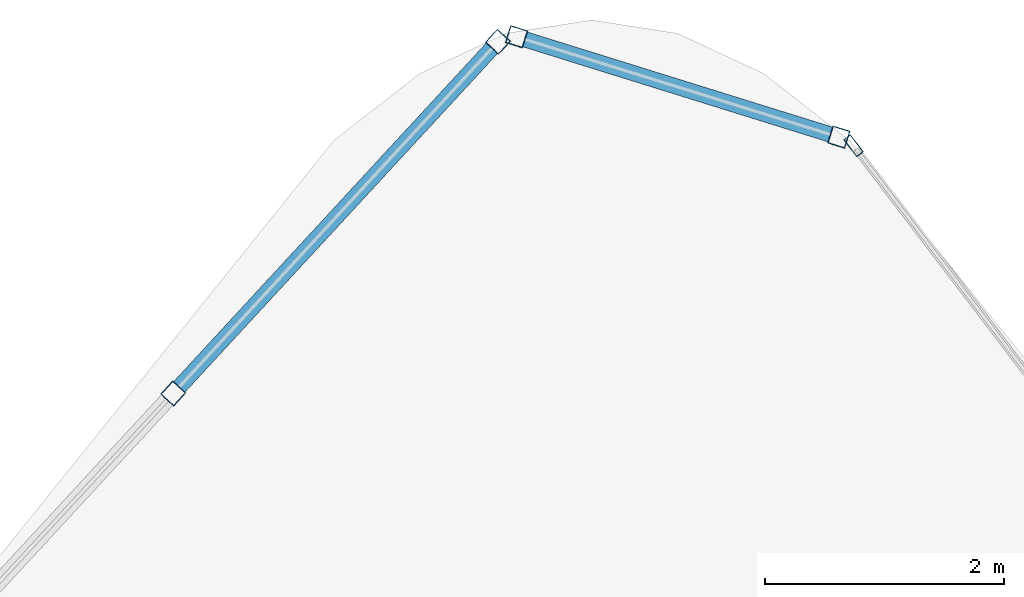
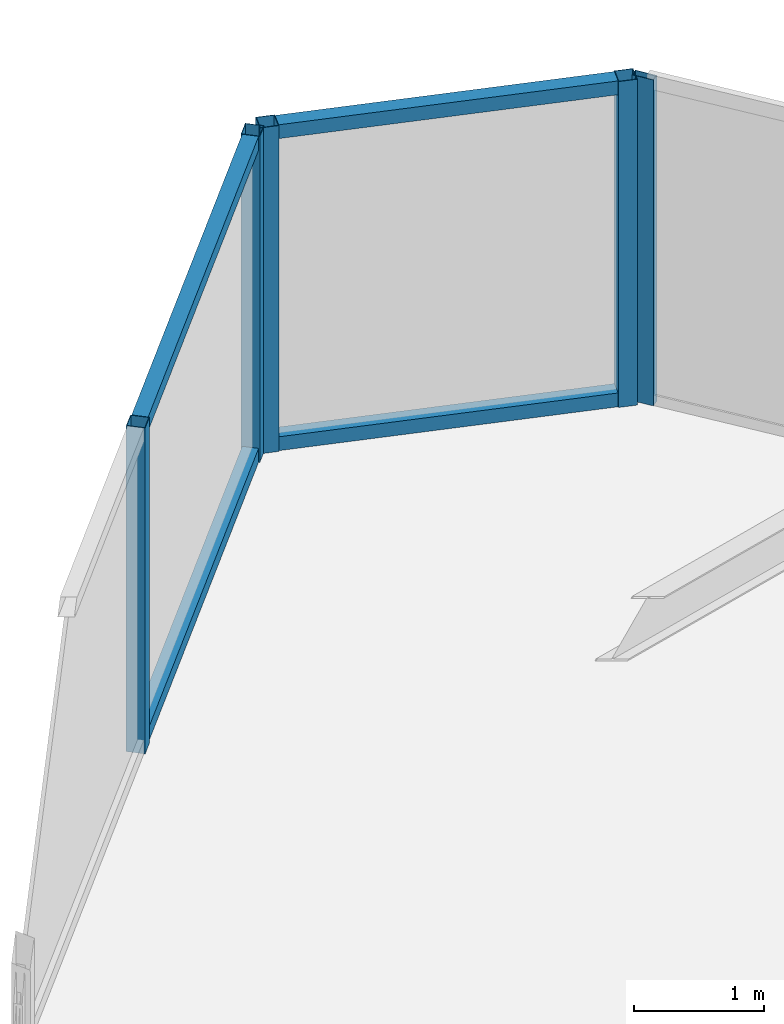
# One storey, part 25 of 35: 9 members, 3 elements without a shape of their own.
"""IFC4 building model written with IfcOpenShell, lengths in metres."""

from ifc_helpers import new_model, si_unit, direction, frame, origin, origin_2d, place, context, subcontext, project, spatial, hollow_rectangle, extrude, material, layer, layer_set, material_profile, profile_set, type_object, element, aggregate, save


model = new_model("IFC4")

# Units and contexts
model_context = context("Model", 3, precision=1e-05, world=origin(), true_north=direction((0.0, 1.0)))
body_context = subcontext(model_context, "Body", "Model", "MODEL_VIEW")
ifc_project = project(units=[si_unit("LENGTHUNIT", "METRE"), si_unit("AREAUNIT", "SQUARE_METRE"), si_unit("VOLUMEUNIT", "CUBIC_METRE"), si_unit("PLANEANGLEUNIT", "RADIAN"), si_unit("MASSUNIT", "GRAM", prefix="KILO")], contexts=[model_context])

# Site, building, storey
site_placement = place(None, origin())
site = spatial("IfcSite", under=ifc_project, at=site_placement, CompositionType="ELEMENT")
building_placement = place(site_placement, origin())
building = spatial("IfcBuilding", under=site, at=building_placement, Name="Orvanel Arch Residences", CompositionType="ELEMENT")
storey_placement = place(building_placement, frame((0.0, 0.0, 26.89990234375)))
storey = spatial("IfcBuildingStorey", under=building, at=storey_placement, Name="L06", CompositionType="ELEMENT", Elevation=26.89990234375)

# Curtain wall, members
ifc_material = material(Name="Bronze-anodised aluminium AA6063-T6", Category="aluminium")
ifc_layer_1 = layer(ifc_material, 0.18994140625)
ifc_layer_set_1 = layer_set([ifc_layer_1], Name="Bronze-anodised aluminium AA6063-T6")
curtain_wall_type_1 = type_object("IfcCurtainWallType", Name="CW5-CRN-SYS", PredefinedType="NOTDEFINED", material=ifc_layer_set_1)
curtain_wall_1_placement = place(storey_placement, origin())
curtain_wall_1 = element("IfcCurtainWall", 1, at=curtain_wall_1_placement, inside=storey, type_object=curtain_wall_type_1, Name="L06 CW5-CRN-SYS Unitised Curtain Wall", PredefinedType="NOTDEFINED")
ifc_material_profile_1 = material_profile(ifc_material, hollow_rectangle(XDim=0.14990234375, YDim=0.14990234375, WallThickness=0.0048828125, at=origin_2d()), Name="ALU150x150x5")
ifc_profile_set_1 = profile_set([ifc_material_profile_1], Name="Bronze-anodised aluminium AA6063-T6")
member_type_1 = type_object("IfcMemberType", Name="MUL-150x150", PredefinedType="MULLION", material=ifc_profile_set_1)
member_1_placement = place(storey_placement, frame((35.0693359375, 51.7763671875, 0.0), z_axis=(0.0, 0.0, 1.0), x_axis=(-0.297318393597, -0.954778389381, 0.0)))
member_1 = element("IfcMember", 2, at=member_1_placement, type_object=member_type_1, Name="CW-S5 mullion 1", PredefinedType="MULLION", context=body_context, shape_type="SweptSolid", body=[
    extrude(hollow_rectangle(XDim=0.14990234375, YDim=0.14990234375, WallThickness=0.0048828125, at=origin_2d()), origin(), (0.0, 0.0, 1.0), 3.06005859375),
])
member_2_placement = place(storey_placement, frame((32.37060546875, 52.61669921875, 0.0), z_axis=(0.0, 0.0, 1.0), x_axis=(-0.297318393597, -0.954778389381, 0.0)))
member_2 = element("IfcMember", 3, at=member_2_placement, type_object=member_type_1, Name="CW-S5 mullion 2", PredefinedType="MULLION", context=body_context, shape_type="SweptSolid", body=[
    extrude(hollow_rectangle(XDim=0.14990234375, YDim=0.14990234375, WallThickness=0.0048828125, at=origin_2d()), origin(), (0.0, 0.0, 1.0), 3.06005859375),
])

curtain_wall_2_placement = place(storey_placement, origin())
curtain_wall_2 = element("IfcCurtainWall", 4, at=curtain_wall_2_placement, inside=storey, type_object=curtain_wall_type_1, Name="L06 CW5-CRN-SYS Unitised Curtain Wall", PredefinedType="NOTDEFINED")
member_3_placement = place(storey_placement, frame((32.215087890625, 52.574951171875, 0.0), z_axis=(0.0, 0.0, 1.0), x_axis=(0.734704866707, -0.678386879912, 0.0)))
member_3 = element("IfcMember", 5, at=member_3_placement, type_object=member_type_1, Name="CW-S5 mullion 1", PredefinedType="MULLION", context=body_context, shape_type="SweptSolid", body=[
    extrude(hollow_rectangle(XDim=0.14990234375, YDim=0.14990234375, WallThickness=0.0048828125, at=origin_2d()), origin(), (0.0, 0.0, 1.0), 3.06005859375),
])
member_4_placement = place(storey_placement, frame((29.49560546875, 49.62939453125, 0.0), z_axis=(0.0, 0.0, 1.0), x_axis=(0.734704866707, -0.678386879912, 0.0)))
member_4 = element("IfcMember", 6, at=member_4_placement, type_object=member_type_1, Name="CW-S5 mullion 2", PredefinedType="MULLION", context=body_context, shape_type="SweptSolid", body=[
    extrude(hollow_rectangle(XDim=0.14990234375, YDim=0.14990234375, WallThickness=0.0048828125, at=origin_2d()), origin(), (0.0, 0.0, 1.0), 3.06005859375),
])

# Curtain wall, member
ifc_layer_2 = layer(ifc_material, 0.179931640625)
ifc_layer_set_2 = layer_set([ifc_layer_2], Name="Bronze-anodised aluminium AA6063-T6")
curtain_wall_type_2 = type_object("IfcCurtainWallType", Name="CW2-LOW-SYS", PredefinedType="NOTDEFINED", material=ifc_layer_set_2)
curtain_wall_3_placement = place(storey_placement, origin())
curtain_wall_3 = element("IfcCurtainWall", 7, at=curtain_wall_3_placement, inside=storey, type_object=curtain_wall_type_2, Name="L06 CW2-LOW-SYS Unitised Curtain Wall", PredefinedType="NOTDEFINED")
ifc_material_profile_2 = material_profile(ifc_material, hollow_rectangle(XDim=0.070068359375, YDim=0.179931640625, WallThickness=0.00439453125, at=origin_2d()), Name="ALU180x70x4.5")
ifc_profile_set_2 = profile_set([ifc_material_profile_2], Name="Bronze-anodised aluminium AA6063-T6")
member_type_2 = type_object("IfcMemberType", Name="MUL-180x70", PredefinedType="MULLION", material=ifc_profile_set_2)
member_5_placement = place(storey_placement, frame((35.193115234375, 51.7041015625, 0.0), z_axis=(0.0, 0.0, 1.0), x_axis=(-0.795608016507, -0.605811756299, 0.0)))
member_5 = element("IfcMember", 8, at=member_5_placement, type_object=member_type_2, Name="CW-S2 mullion 4", PredefinedType="MULLION", context=body_context, shape_type="SweptSolid", body=[
    extrude(hollow_rectangle(XDim=0.070068359375, YDim=0.179931640625, WallThickness=0.00439453125, at=origin_2d()), origin(), (0.0, 0.0, 1.0), 3.06005859375),
])
aggregate(curtain_wall_3, [member_5])

# Member
ifc_material_profile_3 = material_profile(ifc_material, hollow_rectangle(XDim=0.1298828125, YDim=0.1298828125, WallThickness=0.00439453125, at=origin_2d()), Name="ALU130x130x4.5")
ifc_profile_set_3 = profile_set([ifc_material_profile_3], Name="Bronze-anodised aluminium AA6063-T6")
member_type_3 = type_object("IfcMemberType", Name="TRN-130x130", PredefinedType="USERDEFINED", material=ifc_profile_set_3)
member_6_placement = place(storey_placement, frame((34.997802734375, 51.798583984375, 0.065185546875), z_axis=(-0.954771647461, 0.297340043057, 0.0), x_axis=(-0.297340043057, -0.954771647461, 0.0)))
member_6 = element("IfcMember", 9, at=member_6_placement, type_object=member_type_3, Name="CW-S5 transom 1.1", ObjectType="TRANSOM", PredefinedType="USERDEFINED", context=body_context, shape_type="SweptSolid", body=[
    extrude(hollow_rectangle(XDim=0.1298828125, YDim=0.1298828125, WallThickness=0.00439453125, at=origin_2d()), origin(), (0.0, 0.0, 1.0), 2.6767578125),
])

member_7_placement = place(storey_placement, frame((34.997802734375, 51.798583984375, 2.9951171875), z_axis=(-0.954771647461, 0.297340043057, 0.0), x_axis=(-0.297340043057, -0.954771647461, 0.0)))
member_7 = element("IfcMember", 10, at=member_7_placement, type_object=member_type_3, Name="CW-S5 transom 1.2", ObjectType="TRANSOM", PredefinedType="USERDEFINED", context=body_context, shape_type="SweptSolid", body=[
    extrude(hollow_rectangle(XDim=0.1298828125, YDim=0.1298828125, WallThickness=0.00439453125, at=origin_2d()), origin(), (0.0, 0.0, 1.0), 2.6767578125),
])

aggregate(curtain_wall_1, [member_1, member_2, member_6, member_7])

member_8_placement = place(storey_placement, frame((32.164306640625, 52.519775390625, 0.065185546875), z_axis=(-0.678393082781, -0.734699139264, 0.0), x_axis=(0.734699139264, -0.678393082781, 0.0)))
member_8 = element("IfcMember", 11, at=member_8_placement, type_object=member_type_3, Name="CW-S5 transom 1.1", ObjectType="TRANSOM", PredefinedType="USERDEFINED", context=body_context, shape_type="SweptSolid", body=[
    extrude(hollow_rectangle(XDim=0.1298828125, YDim=0.1298828125, WallThickness=0.00439453125, at=origin_2d()), origin(), (0.0, 0.0, 1.0), 3.85888671875),
])

member_9_placement = place(storey_placement, frame((32.164306640625, 52.519775390625, 2.9951171875), z_axis=(-0.678393082781, -0.734699139264, 0.0), x_axis=(0.734699139264, -0.678393082781, 0.0)))
member_9 = element("IfcMember", 12, at=member_9_placement, type_object=member_type_3, Name="CW-S5 transom 1.2", ObjectType="TRANSOM", PredefinedType="USERDEFINED", context=body_context, shape_type="SweptSolid", body=[
    extrude(hollow_rectangle(XDim=0.1298828125, YDim=0.1298828125, WallThickness=0.00439453125, at=origin_2d()), origin(), (0.0, 0.0, 1.0), 3.85888671875),
])

aggregate(curtain_wall_2, [member_3, member_4, member_8, member_9])

save(model, "model.ifc")
